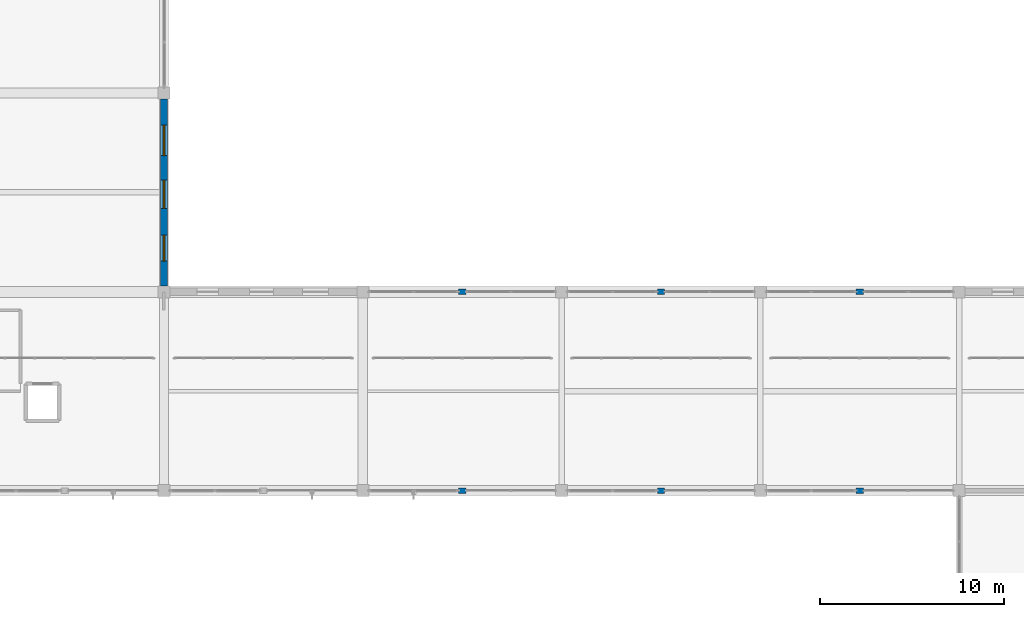
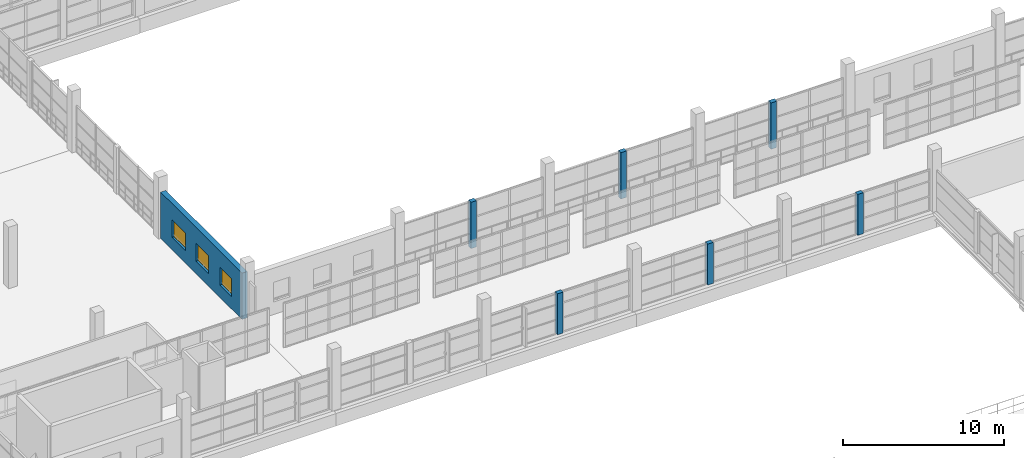
# One storey, part 105 of 142: 7 walls, 3 windows, 3 openings.
"""IFC4 building model written with IfcOpenShell, lengths in metres."""

from ifc_helpers import new_model, si_unit, direction, frame, frame_2d, origin, place, context, subcontext, project, spatial, rectangle, extrude, material, layer, layer_set, type_object, element, fill, save


model = new_model("IFC4")

# Units and contexts
model_context = context("Model", 3, precision=1e-05, world=origin(), true_north=direction((0.0, 1.0)))
body_context = subcontext(model_context, "Body", "Model", "MODEL_VIEW")
ifc_project = project(units=[si_unit("LENGTHUNIT", "METRE"), si_unit("AREAUNIT", "SQUARE_METRE"), si_unit("VOLUMEUNIT", "CUBIC_METRE"), si_unit("PLANEANGLEUNIT", "RADIAN"), si_unit("MASSUNIT", "GRAM", prefix="KILO")], contexts=[model_context])

# Site, building, storey
site_placement = place(None, origin())
site = spatial("IfcSite", under=ifc_project, at=site_placement, CompositionType="ELEMENT")
building_placement = place(site_placement, origin())
building = spatial("IfcBuilding", under=site, at=building_placement, Name="Zwinboog Wholesale Market", CompositionType="ELEMENT")
storey_placement = place(building_placement, frame((0.0, 0.0, 5.39990234375)))
storey = spatial("IfcBuildingStorey", under=building, at=storey_placement, Name="L01", CompositionType="ELEMENT", Elevation=5.39990234375)

# Wall, openings, windows
ifc_material_1 = material(Name="Precast concrete C45/55", Category="concrete")
ifc_layer_1 = layer(ifc_material_1, 0.3701171875)
ifc_layer_set_1 = layer_set([ifc_layer_1], Name="Precast concrete C45/55")
wall_type_1 = type_object("IfcWallType", Name="WT-EW-370", PredefinedType="STANDARD", material=ifc_layer_set_1)
wall_1_placement = place(storey_placement, frame((86.39990234375, 54.320068359375, 0.0), z_axis=(0.0, 0.0, 1.0), x_axis=(0.0, 1.0, 0.0)))
wall_1 = element("IfcWall", 1, at=wall_1_placement, inside=storey, type_object=wall_type_1, Name="EW-01 (WL-EW-L01-124)", PredefinedType="STANDARD", context=body_context, shape_type="SweptSolid", body=[
    extrude(rectangle(XDim=10.159912109375, YDim=0.3701171875, at=frame_2d((5.080078125, 0.0))), origin(), (0.0, 0.0, 1.0), 3.530029296875),
])
opening_1_placement = place(wall_1_placement, frame((1.344970703125, 0.0, 0.949951171875)))
opening_1 = element("IfcOpeningElement", 2, at=opening_1_placement, cuts=wall_1, Name="Opening WN-28", PredefinedType="OPENING", context=body_context, shape_type="SweptSolid", body=[
    extrude(rectangle(XDim=1.409912109375, YDim=1.35009765625, at=frame_2d((0.705078125, 0.675048828125))), frame((0.0, 0.195068359375, 0.0), z_axis=(0.0, -1.0, 0.0), x_axis=(1.0, 0.0, 0.0)), (0.0, 0.0, 1.0), 0.39013671875),
])
opening_2_placement = place(wall_1_placement, frame((4.215087890625, 0.0, 0.949951171875)))
opening_2 = element("IfcOpeningElement", 3, at=opening_2_placement, cuts=wall_1, Name="Opening WN-29", PredefinedType="OPENING", context=body_context, shape_type="SweptSolid", body=[
    extrude(rectangle(XDim=1.530029296875, YDim=1.35009765625, at=frame_2d((0.76513671875, 0.675048828125))), frame((0.0, 0.195068359375, 0.0), z_axis=(0.0, -1.0, 0.0), x_axis=(1.0, 0.0, 0.0)), (0.0, 0.0, 1.0), 0.39013671875),
])
opening_3_placement = place(wall_1_placement, frame((7.0849609375, 0.0, 0.949951171875)))
opening_3 = element("IfcOpeningElement", 4, at=opening_3_placement, cuts=wall_1, Name="Opening WN-30", PredefinedType="OPENING", context=body_context, shape_type="SweptSolid", body=[
    extrude(rectangle(XDim=1.64990234375, YDim=1.35009765625, at=frame_2d((0.824951171875, 0.675048828125))), frame((0.0, 0.195068359375, 0.0), z_axis=(0.0, -1.0, 0.0), x_axis=(1.0, 0.0, 0.0)), (0.0, 0.0, 1.0), 0.39013671875),
])
ifc_material_2 = material(Name="Thermally broken aluminium low-e window", Category="aluminium")
window_type_1 = type_object("IfcWindowType", Name="WNT-28", PartitioningType="SINGLE_PANEL", PredefinedType="WINDOW", material=ifc_material_2)
window_1_placement = place(opening_1_placement, frame((1.409912109375, 0.0, 0.0), z_axis=(0.0, 0.0, 1.0), x_axis=(-1.0, 0.0, 0.0)))
window_1 = element("IfcWindow", 5, at=window_1_placement, inside=storey, type_object=window_type_1, Name="WN-28 (WIN-L01-0100)", OverallHeight=1.35009765625, OverallWidth=1.409912109375, PartitioningType="SINGLE_PANEL", PredefinedType="WINDOW", context=body_context, shape_type="SweptSolid", body=[
    extrude(rectangle(XDim=1.409912109375, YDim=1.35009765625, at=frame_2d((0.705078125, 0.675048828125))), frame((0.0, 0.030029296875, 0.0), z_axis=(0.0, -1.0, 0.0), x_axis=(1.0, 0.0, 0.0)), (0.0, 0.0, 1.0), 0.06005859375),
])
fill(opening_1, window_1)
window_type_2 = type_object("IfcWindowType", Name="WNT-29", PartitioningType="SINGLE_PANEL", PredefinedType="WINDOW", material=ifc_material_2)
window_2_placement = place(opening_2_placement, frame((1.530029296875, 0.0, 0.0), z_axis=(0.0, 0.0, 1.0), x_axis=(-1.0, 0.0, 0.0)))
window_2 = element("IfcWindow", 6, at=window_2_placement, inside=storey, type_object=window_type_2, Name="WN-29 (WIN-L01-0101)", OverallHeight=1.35009765625, OverallWidth=1.530029296875, PartitioningType="SINGLE_PANEL", PredefinedType="WINDOW", context=body_context, shape_type="SweptSolid", body=[
    extrude(rectangle(XDim=1.530029296875, YDim=1.35009765625, at=frame_2d((0.76513671875, 0.675048828125))), frame((0.0, 0.030029296875, 0.0), z_axis=(0.0, -1.0, 0.0), x_axis=(1.0, 0.0, 0.0)), (0.0, 0.0, 1.0), 0.06005859375),
])
fill(opening_2, window_2)
window_type_3 = type_object("IfcWindowType", Name="WNT-30", PartitioningType="SINGLE_PANEL", PredefinedType="WINDOW", material=ifc_material_2)
window_3_placement = place(opening_3_placement, frame((1.64990234375, 0.0, 0.0), z_axis=(0.0, 0.0, 1.0), x_axis=(-1.0, 0.0, 0.0)))
window_3 = element("IfcWindow", 7, at=window_3_placement, inside=storey, type_object=window_type_3, Name="WN-30 (WIN-L01-0102)", OverallHeight=1.35009765625, OverallWidth=1.64990234375, PartitioningType="SINGLE_PANEL", PredefinedType="WINDOW", context=body_context, shape_type="SweptSolid", body=[
    extrude(rectangle(XDim=1.64990234375, YDim=1.35009765625, at=frame_2d((0.824951171875, 0.675048828125))), frame((0.0, 0.030029296875, 0.0), z_axis=(0.0, -1.0, 0.0), x_axis=(1.0, 0.0, 0.0)), (0.0, 0.0, 1.0), 0.06005859375),
])
fill(opening_3, window_3)

# Walls
ifc_layer_2 = layer(ifc_material_1, 0.304931640625)
ifc_layer_set_2 = layer_set([ifc_layer_2], Name="Precast concrete C45/55")
wall_type_2 = type_object("IfcWallType", Name="WT-EW-305", PredefinedType="STANDARD", material=ifc_layer_set_2)
wall_2_placement = place(storey_placement, frame((102.39990234375, 43.199951171875, 0.0), z_axis=(0.0, 0.0, 1.0), x_axis=(1.0, 0.0, 0.0)))
element("IfcWall", 8, at=wall_2_placement, inside=storey, type_object=wall_type_2, Name="EW-07 (WL-PIER-L01-132)", PredefinedType="STANDARD", context=body_context, shape_type="SweptSolid", body=[
    extrude(rectangle(XDim=0.400146484375, YDim=0.304931640625, at=frame_2d((0.2001953125, 0.0))), origin(), (0.0, 0.0, 1.0), 3.1201171875),
])
wall_3_placement = place(storey_placement, frame((102.39990234375, 54.0, 0.0), z_axis=(0.0, 0.0, 1.0), x_axis=(1.0, 0.0, 0.0)))
element("IfcWall", 9, at=wall_3_placement, inside=storey, type_object=wall_type_2, Name="EW-07 (WL-PIER-L01-133)", PredefinedType="STANDARD", context=body_context, shape_type="SweptSolid", body=[
    extrude(rectangle(XDim=0.400146484375, YDim=0.304931640625, at=frame_2d((0.2001953125, 0.0))), origin(), (0.0, 0.0, 1.0), 3.530029296875),
])
wall_4_placement = place(storey_placement, frame((113.199951171875, 43.199951171875, 0.0), z_axis=(0.0, 0.0, 1.0), x_axis=(1.0, 0.0, 0.0)))
element("IfcWall", 10, at=wall_4_placement, inside=storey, type_object=wall_type_2, Name="EW-07 (WL-PIER-L01-136)", PredefinedType="STANDARD", context=body_context, shape_type="SweptSolid", body=[
    extrude(rectangle(XDim=0.400146484375, YDim=0.304931640625, at=frame_2d((0.2001953125, 0.0))), origin(), (0.0, 0.0, 1.0), 3.1201171875),
])
wall_5_placement = place(storey_placement, frame((113.199951171875, 54.0, 0.0), z_axis=(0.0, 0.0, 1.0), x_axis=(1.0, 0.0, 0.0)))
element("IfcWall", 11, at=wall_5_placement, inside=storey, type_object=wall_type_2, Name="EW-07 (WL-PIER-L01-137)", PredefinedType="STANDARD", context=body_context, shape_type="SweptSolid", body=[
    extrude(rectangle(XDim=0.400146484375, YDim=0.304931640625, at=frame_2d((0.2001953125, 0.0))), origin(), (0.0, 0.0, 1.0), 3.530029296875),
])
wall_6_placement = place(storey_placement, frame((124.0, 43.199951171875, 0.0), z_axis=(0.0, 0.0, 1.0), x_axis=(1.0, 0.0, 0.0)))
element("IfcWall", 12, at=wall_6_placement, inside=storey, type_object=wall_type_2, Name="EW-07 (WL-PIER-L01-140)", PredefinedType="STANDARD", context=body_context, shape_type="SweptSolid", body=[
    extrude(rectangle(XDim=0.39990234375, YDim=0.304931640625, at=frame_2d((0.199951171875, 0.0))), origin(), (0.0, 0.0, 1.0), 3.1201171875),
])
wall_7_placement = place(storey_placement, frame((124.0, 54.0, 0.0), z_axis=(0.0, 0.0, 1.0), x_axis=(1.0, 0.0, 0.0)))
element("IfcWall", 13, at=wall_7_placement, inside=storey, type_object=wall_type_2, Name="EW-07 (WL-PIER-L01-141)", PredefinedType="STANDARD", context=body_context, shape_type="SweptSolid", body=[
    extrude(rectangle(XDim=0.39990234375, YDim=0.304931640625, at=frame_2d((0.199951171875, 0.0))), origin(), (0.0, 0.0, 1.0), 3.530029296875),
])

save(model, "model.ifc")
